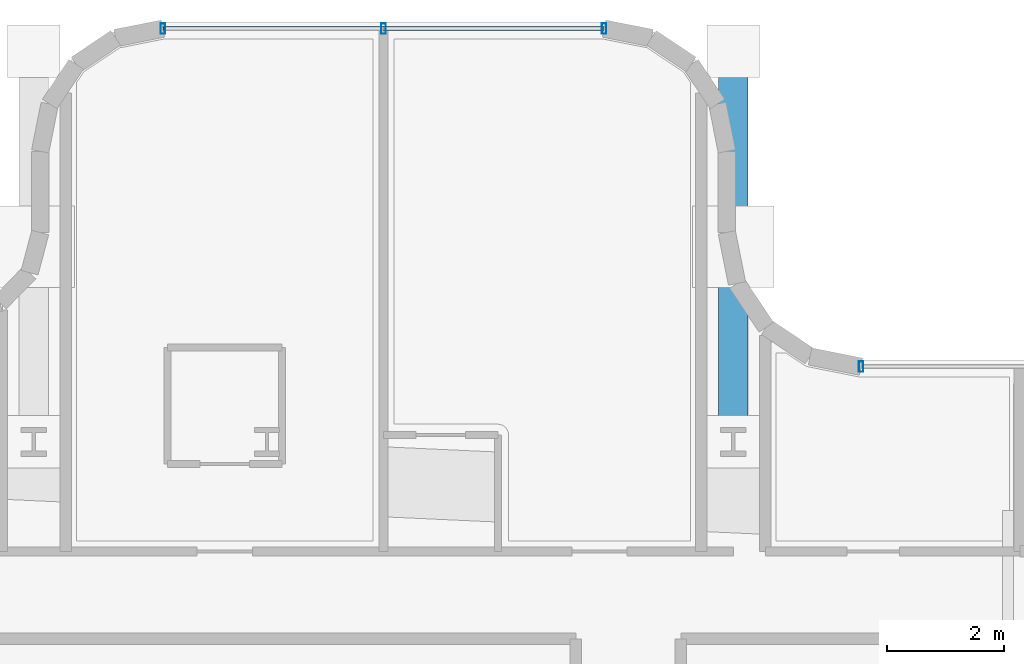
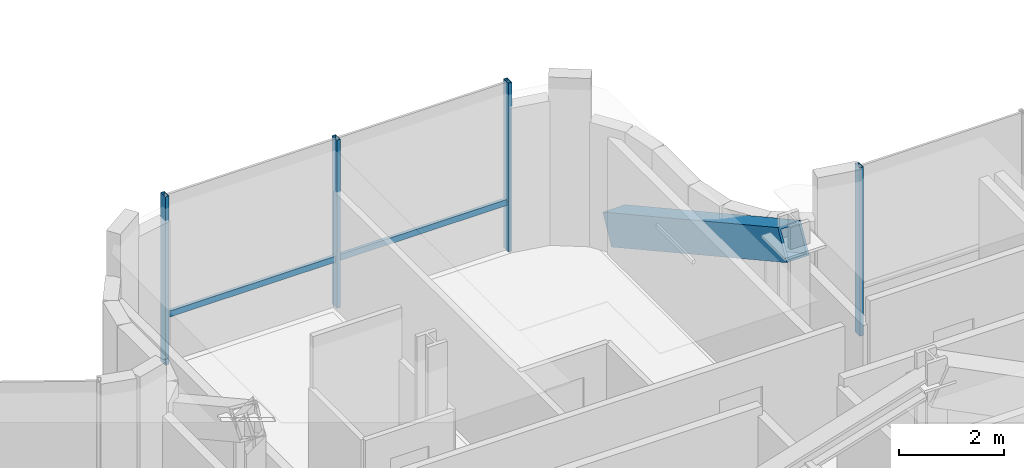
# One storey, part 21 of 37: 6 members, 2 elements without a shape of their own.
"""IFC4 building model written with IfcOpenShell, lengths in metres."""

from ifc_helpers import new_model, si_unit, direction, frame, origin, origin_2d, place, context, subcontext, project, spatial, hollow_rectangle, extrude, source, transform, mapped, material, material_profile, profile_set, type_object, element, aggregate, save


model = new_model("IFC4")

# Units and contexts
model_context = context("Model", 3, precision=1e-05, world=origin(), true_north=direction((0.0, 1.0)))
body_context = subcontext(model_context, "Body", "Model", "MODEL_VIEW")
ifc_project = project(units=[si_unit("LENGTHUNIT", "METRE"), si_unit("AREAUNIT", "SQUARE_METRE"), si_unit("VOLUMEUNIT", "CUBIC_METRE"), si_unit("PLANEANGLEUNIT", "RADIAN"), si_unit("MASSUNIT", "GRAM", prefix="KILO")], contexts=[model_context])

# Site, building, storey
site_placement = place(None, origin())
site = spatial("IfcSite", under=ifc_project, at=site_placement, CompositionType="ELEMENT")
building_placement = place(site_placement, origin())
building = spatial("IfcBuilding", under=site, at=building_placement, Name="Valdorenza Pilgrim Sanctuary Tower", CompositionType="ELEMENT")
storey_placement = place(building_placement, frame((0.0, 0.0, 172.300048828125)))
storey = spatial("IfcBuildingStorey", under=building, at=storey_placement, Name="L44", CompositionType="ELEMENT", Elevation=172.300048828125)

# Member
ifc_material_1 = material(Name="Steel ASTM A572 Grade 42", Category="steel")
ifc_material_profile_1 = material_profile(ifc_material_1, hollow_rectangle(XDim=0.5, YDim=0.699951171875, WallThickness=0.050048828125, at=origin_2d()), Name="BOX 700x500x50")
ifc_profile_set_1 = profile_set([ifc_material_profile_1], Name="Steel ASTM A572 Grade 42")
member_type_1 = type_object("IfcMemberType", Name="STR-MB-PROW-CHORD", PredefinedType="CHORD", material=ifc_profile_set_1)
shared_shape_1 = source(origin(), body_context, "Body", "SweptSolid", [
    extrude(hollow_rectangle(XDim=0.5, YDim=0.699951171875, WallThickness=0.050048828125, at=origin_2d()), origin(), (0.0, 0.0, 1.0), 7.65380859375),
])
member_1_placement = place(storey_placement, frame((8.5, 21.5, 0.0), z_axis=(0.0, -0.87538826171, 0.483420511832), x_axis=(1.0, 0.0, 0.0)))
element("IfcMember", 1, at=member_1_placement, inside=storey, type_object=member_type_1, Name="North Sanctuary Prow Truss Tie E", PredefinedType="CHORD", context=body_context, shape_type="MappedRepresentation", body=[
    mapped(shared_shape_1, transform((0.0, 0.0, 0.0), x_axis=(1.0, 0.0, 0.0), y_axis=(0.0, 1.0, 0.0), z_axis=(0.0, 0.0, 1.0), scale=1.0)),
])

# Curtain wall, members
ifc_material_2 = material(Name="Curtain-wall IGU glazing", Category="glass")
curtain_wall_type = type_object("IfcCurtainWallType", Name="CW-SYS-05", PredefinedType="NOTDEFINED", material=ifc_material_2)
curtain_wall_1_placement = place(storey_placement, origin())
curtain_wall_1 = element("IfcCurtainWall", 2, at=curtain_wall_1_placement, inside=storey, type_object=curtain_wall_type, Name="L44 Curtain Wall CW-L44-1-21", PredefinedType="NOTDEFINED")
ifc_material_3 = material(Name="Anodised aluminium AW-6060", Category="aluminium")
ifc_material_profile_2 = material_profile(ifc_material_3, hollow_rectangle(XDim=0.080078125, YDim=0.179931640625, WallThickness=0.00439453125, at=origin_2d()), Name="ALU-M 180x80x4.5")
ifc_profile_set_2 = profile_set([ifc_material_profile_2], Name="Anodised aluminium AW-6060")
member_type_2 = type_object("IfcMemberType", Name="CW-MUL-05", PredefinedType="MULLION", material=ifc_profile_set_2)
shared_shape_2 = source(origin(), body_context, "Body", "SweptSolid", [
    extrude(hollow_rectangle(XDim=0.080078125, YDim=0.179931640625, WallThickness=0.00439453125, at=origin_2d()), origin(), (0.0, 0.0, 1.0), 3.929931640625),
])
member_2_placement = place(storey_placement, frame((-1.28515625, 21.889892578125, 0.0), z_axis=(0.0, 0.0, 1.0), x_axis=(1.0, 0.0, 0.0)))
member_2 = element("IfcMember", 3, at=member_2_placement, type_object=member_type_2, Name="CW-L44-1-21 Mullion 1", PredefinedType="MULLION", context=body_context, shape_type="MappedRepresentation", body=[
    mapped(shared_shape_2, transform((0.0, 0.0, 0.0), x_axis=(1.0, 0.0, 0.0), y_axis=(0.0, 1.0, 0.0), z_axis=(0.0, 0.0, 1.0), scale=1.0)),
])
member_3_placement = place(storey_placement, frame((2.5, 21.889892578125, 0.0), z_axis=(0.0, 0.0, 1.0), x_axis=(1.0, 0.0, 0.0)))
member_3 = element("IfcMember", 4, at=member_3_placement, type_object=member_type_2, Name="CW-L44-1-21 Mullion 2", PredefinedType="MULLION", context=body_context, shape_type="MappedRepresentation", body=[
    mapped(shared_shape_2, transform((0.0, 0.0, 0.0), x_axis=(1.0, 0.0, 0.0), y_axis=(0.0, 1.0, 0.0), z_axis=(0.0, 0.0, 1.0), scale=1.0)),
])
member_4_placement = place(storey_placement, frame((6.28515625, 21.889892578125, 0.0), z_axis=(0.0, 0.0, 1.0), x_axis=(1.0, 0.0, 0.0)))
member_4 = element("IfcMember", 5, at=member_4_placement, type_object=member_type_2, Name="CW-L44-1-21 Mullion 3", PredefinedType="MULLION", context=body_context, shape_type="MappedRepresentation", body=[
    mapped(shared_shape_2, transform((0.0, 0.0, 0.0), x_axis=(1.0, 0.0, 0.0), y_axis=(0.0, 1.0, 0.0), z_axis=(0.0, 0.0, 1.0), scale=1.0)),
])

# Curtain wall, member
curtain_wall_2_placement = place(storey_placement, origin())
curtain_wall_2 = element("IfcCurtainWall", 6, at=curtain_wall_2_placement, inside=storey, type_object=curtain_wall_type, Name="L44 Curtain Wall CW-L44-1-31", PredefinedType="NOTDEFINED")
member_5_placement = place(storey_placement, frame((10.693115234375, 16.090087890625, 0.0), z_axis=(0.0, 0.0, 1.0), x_axis=(1.0, 0.0, 0.0)))
member_5 = element("IfcMember", 7, at=member_5_placement, type_object=member_type_2, Name="CW-L44-1-31 Mullion 1", PredefinedType="MULLION", context=body_context, shape_type="MappedRepresentation", body=[
    mapped(shared_shape_2, transform((0.0, 0.0, 0.0), x_axis=(1.0, 0.0, 0.0), y_axis=(0.0, 1.0, 0.0), z_axis=(0.0, 0.0, 1.0), scale=1.0)),
])
aggregate(curtain_wall_2, [member_5])

# Member
ifc_material_profile_3 = material_profile(ifc_material_3, hollow_rectangle(XDim=0.070068359375, YDim=0.139892578125, WallThickness=0.00341796875, at=origin_2d()), Name="ALU-T 140x70x3.5")
ifc_profile_set_3 = profile_set([ifc_material_profile_3], Name="Anodised aluminium AW-6060")
member_type_3 = type_object("IfcMemberType", Name="CW-TRN-05", PredefinedType="USERDEFINED", material=ifc_profile_set_3)
shared_shape_3 = source(origin(), body_context, "Body", "SweptSolid", [
    extrude(hollow_rectangle(XDim=0.070068359375, YDim=0.139892578125, WallThickness=0.00341796875, at=origin_2d()), origin(), (0.0, 0.0, 1.0), 7.5703125),
])
member_6_placement = place(storey_placement, frame((-1.28515625, 21.889892578125, 1.119873046875), z_axis=(1.0, 0.0, 0.0), x_axis=(0.0, 1.0, 0.0)))
member_6 = element("IfcMember", 8, at=member_6_placement, type_object=member_type_3, Name="CW-L44-1-21 Transom 1", ObjectType="TRANSOM", PredefinedType="USERDEFINED", context=body_context, shape_type="MappedRepresentation", body=[
    mapped(shared_shape_3, transform((0.0, 0.0, 0.0), x_axis=(1.0, 0.0, 0.0), y_axis=(0.0, 1.0, 0.0), z_axis=(0.0, 0.0, 1.0), scale=1.0)),
])

aggregate(curtain_wall_1, [member_2, member_3, member_4, member_6])

save(model, "model.ifc")
